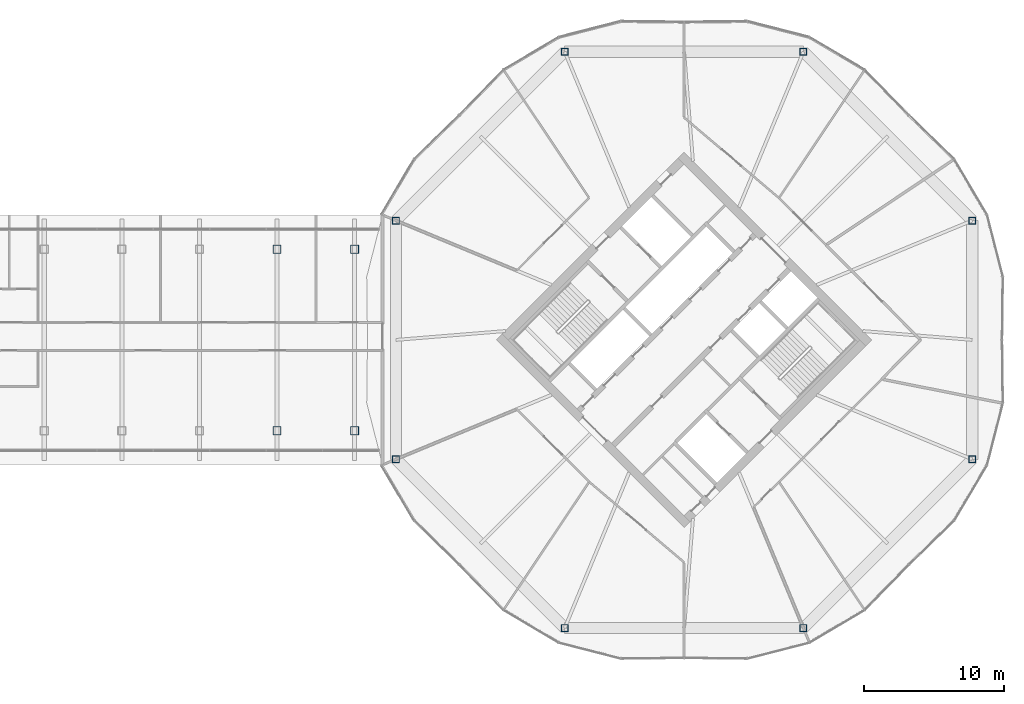
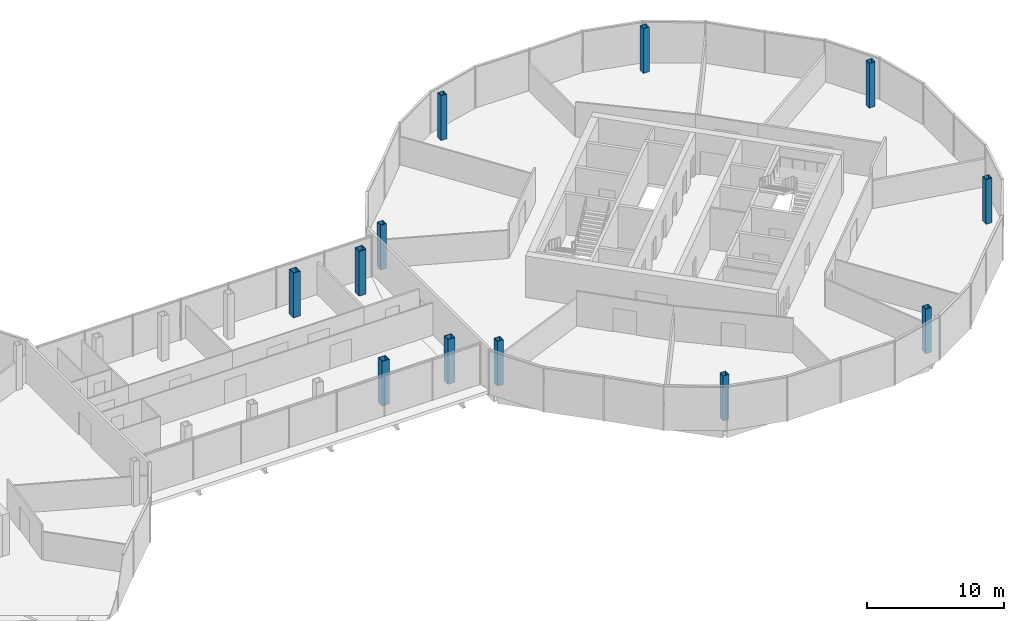
# One storey, part 2 of 25: 12 columns.
"""IFC4 building model written with IfcOpenShell, lengths in metres."""

import ifcopenshell
import ifcopenshell.guid

model = None  # the IFC model being written
_history = None  # IfcOwnerHistory: only IFC2X3 demands one
_inside = {}  # id of a spatial element -> (the spatial element, [elements in it])
_under = {}  # id of a project, library or spatial element -> (it, [spatial elements below it])
_declared = {}  # id of a project -> (the project, [libraries it declares])
_typed = {}  # id of a type object -> (the type object, [elements of that type])
_made_of = {}  # id of a material, layer set ... -> (it, [elements and type objects made of it])


def new_model(schema):
    """Start an empty IFC model of exactly this schema.

    Asked for "IFC4X3", IfcOpenShell would pick the latest addendum, in which some entities
    have other attributes; the version numbers below select the first issue.
    IFC2X3 requires an IfcOwnerHistory on every rooted entity: one is made here for all.
    """
    global model, _history
    if schema == "IFC4X3":
        model = ifcopenshell.file(schema_version=(4, 3, 0, 0))
    else:
        model = ifcopenshell.file(schema=schema)
    _inside.clear()
    _under.clear()
    _declared.clear()
    _typed.clear()
    _made_of.clear()
    _history = None
    if model.schema == "IFC2X3":
        org = make("IfcOrganization", Name="unknown")
        user = make(
            "IfcPersonAndOrganization",
            ThePerson=make("IfcPerson", FamilyName="unknown"),
            TheOrganization=org,
        )
        app = make(
            "IfcApplication",
            ApplicationDeveloper=org,
            Version="unknown",
            ApplicationFullName="unknown",
            ApplicationIdentifier="unknown",
        )
        _history = make(
            "IfcOwnerHistory",
            OwningUser=user,
            OwningApplication=app,
            ChangeAction="ADDED",
            CreationDate=0,
        )
    return model


def make(cls, **values):
    """One entity of the class cls with the attributes given. An attribute that is None is left unset."""
    return model.create_entity(
        cls, **{name: value for name, value in values.items() if value is not None}
    )


def rooted(cls, **values):
    """An entity with a GlobalId (a new one), such as an element, a storey or a relation."""
    return make(cls, GlobalId=ifcopenshell.guid.new(), OwnerHistory=_history, **values)


def si_unit(unit_type, name, prefix=None):
    """IfcSIUnit, for example si_unit("LENGTHUNIT", "METRE", prefix="MILLI")."""
    return make("IfcSIUnit", UnitType=unit_type, Prefix=prefix, Name=name)


def assignment(units):
    """IfcUnitAssignment: the units of a project."""
    return None if units is None else make("IfcUnitAssignment", Units=units)


def point(xyz):
    """IfcCartesianPoint."""
    return None if xyz is None else make("IfcCartesianPoint", Coordinates=xyz)


def direction(xyz):
    """IfcDirection."""
    return None if xyz is None else make("IfcDirection", DirectionRatios=xyz)


def frame(location, z_axis=None, x_axis=None):
    """IfcAxis2Placement3D, a coordinate frame: its origin and axes. An axis left out is left unset."""
    return make(
        "IfcAxis2Placement3D",
        Location=point(location),
        Axis=direction(z_axis),
        RefDirection=direction(x_axis),
    )


def frame_2d(location, x_axis=None):
    """IfcAxis2Placement2D, a coordinate frame in the plane: its origin and x axis."""
    return make(
        "IfcAxis2Placement2D", Location=point(location), RefDirection=direction(x_axis)
    )


def origin():
    """The frame at (0, 0, 0) with its axes left unset."""
    return frame((0.0, 0.0, 0.0))


def origin_2d():
    """The frame at (0, 0) in the plane with its x axis left unset."""
    return frame_2d((0.0, 0.0))


def place(relative_to, where):
    """IfcLocalPlacement: puts the frame where relative to a parent placement (None: the world)."""
    return make(
        "IfcLocalPlacement", PlacementRelTo=relative_to, RelativePlacement=where
    )


def context(
    kind, dimensions, precision=None, world=None, true_north=None, identifier=None
):
    """IfcGeometricRepresentationContext, for example the 3D "Model" context."""
    return make(
        "IfcGeometricRepresentationContext",
        ContextIdentifier=identifier,
        ContextType=kind,
        CoordinateSpaceDimension=dimensions,
        Precision=precision,
        WorldCoordinateSystem=world,
        TrueNorth=true_north,
    )


def subcontext(parent, identifier, kind, view, scale=None):
    """IfcGeometricRepresentationSubContext, for example "Body" below "Model"."""
    return make(
        "IfcGeometricRepresentationSubContext",
        ContextIdentifier=identifier,
        ContextType=kind,
        ParentContext=parent,
        TargetScale=scale,
        TargetView=view,
    )


def project(units=None, contexts=None):
    """IfcProject with its units and contexts."""
    return rooted(
        "IfcProject",
        Name="project",
        RepresentationContexts=contexts,
        UnitsInContext=assignment(units),
    )


def spatial(cls, under=None, at=None, **own):
    """A site, building, storey or space (cls), placed at a placement, below another one or the project."""
    s = rooted(cls, ObjectPlacement=at, **own)
    if under is not None:
        _under.setdefault(under.id(), (under, []))[1].append(s)
    return s


def profile(cls, at=None, kind="AREA", **sizes):
    """A parametric profile (cls). Its sizes go by their IFC names, for example OverallWidth=200.0."""
    return make(cls, ProfileType=kind, Position=at, **sizes)


def hollow_rectangle(**sizes):
    """IfcRectangleHollowProfileDef."""
    return profile("IfcRectangleHollowProfileDef", **sizes)


def extrude(swept, where, along, depth):
    """IfcExtrudedAreaSolid: the profile swept, set in the frame where, extruded along a direction by depth."""
    return make(
        "IfcExtrudedAreaSolid",
        SweptArea=swept,
        Position=where,
        ExtrudedDirection=direction(along),
        Depth=depth,
    )


def shape(context_of_items, identifier, shape_type, items):
    """IfcShapeRepresentation: the items that make up one representation, for example the "Body"."""
    return make(
        "IfcShapeRepresentation",
        ContextOfItems=context_of_items,
        RepresentationIdentifier=identifier,
        RepresentationType=shape_type,
        Items=items,
    )


def material(Name=None, Category=None):
    """IfcMaterial."""
    return make("IfcMaterial", Name=Name, Category=Category)


def material_profile(
    of_material, cross_section, Name=None, Category=None, Priority=None
):
    """IfcMaterialProfile: a cross section and its material."""
    return make(
        "IfcMaterialProfile",
        Name=Name,
        Material=of_material,
        Profile=cross_section,
        Priority=Priority,
        Category=Category,
    )


def profile_set(profiles, Name=None, composite=None):
    """IfcMaterialProfileSet."""
    return make(
        "IfcMaterialProfileSet",
        Name=Name,
        MaterialProfiles=profiles,
        CompositeProfile=composite,
    )


def made_of(thing, what):
    """Note that an element or type object is made of a material, layer set ...; save() writes the relation."""
    if what is not None:
        _made_of.setdefault(what.id(), (what, []))[1].append(thing)
    return thing


def type_object(cls, material=None, **own):
    """A type object (cls), such as IfcWallType, which elements share."""
    return made_of(rooted(cls, **own), material)


def element(
    cls,
    number,
    at=None,
    inside=None,
    cuts=None,
    type_object=None,
    material=None,
    context=None,
    identifier="Body",
    shape_type=None,
    held_by="IfcProductDefinitionShape",
    body=None,
    shapes=None,
    **own,
):
    """One element of the class cls, such as IfcWall. Its Tag is "e" and its number.

    at: its placement. inside: the storey or other place that contains it. cuts: it is an
    opening in that element (IfcRelVoidsElement). A single representation is given by context,
    identifier, shape_type and body (its items); several are given by shapes. held_by: the class
    of the entity that holds the representations. save() writes the other relations.
    """
    e = rooted(cls, Tag="e%d" % number, ObjectPlacement=at, **own)
    if body is not None:
        shapes = [shape(context, identifier, shape_type, body)]
    if shapes is not None:
        e.Representation = make(held_by, Representations=shapes)
    if inside is not None:
        _inside.setdefault(inside.id(), (inside, []))[1].append(e)
    if cuts is not None:
        rooted(
            "IfcRelVoidsElement", RelatingBuildingElement=cuts, RelatedOpeningElement=e
        )
    if type_object is not None:
        _typed.setdefault(type_object.id(), (type_object, []))[1].append(e)
    return made_of(e, material)


def aggregate(whole, parts):
    """IfcRelAggregates: a whole, such as a stair, and the parts it consists of."""
    return rooted("IfcRelAggregates", RelatingObject=whole, RelatedObjects=parts)


def save(model, path):
    """Write the relations noted so far, then the file.

    IfcRelAggregates (storeys below a building ...), IfcRelContainedInSpatialStructure (elements
    in a storey), IfcRelDefinesByType, IfcRelAssociatesMaterial and IfcRelDeclares: one each for
    every whole, place, type object, material and project.
    """
    for whole, parts in _under.values():
        aggregate(whole, parts)
    for where, things in _inside.values():
        rooted(
            "IfcRelContainedInSpatialStructure",
            RelatedElements=things,
            RelatingStructure=where,
        )
    for kind, things in _typed.values():
        rooted("IfcRelDefinesByType", RelatedObjects=things, RelatingType=kind)
    for what, things in _made_of.values():
        rooted("IfcRelAssociatesMaterial", RelatedObjects=things, RelatingMaterial=what)
    for by, libraries in _declared.values():
        rooted("IfcRelDeclares", RelatingContext=by, RelatedDefinitions=libraries)
    model.write(path)


model = new_model("IFC4")

# Units and contexts
model_context = context("Model", 3, precision=1e-05, world=origin(), true_north=direction((0.0, 1.0)))
body_context = subcontext(model_context, "Body", "Model", "MODEL_VIEW")
ifc_project = project(units=[si_unit("LENGTHUNIT", "METRE"), si_unit("AREAUNIT", "SQUARE_METRE"), si_unit("VOLUMEUNIT", "CUBIC_METRE"), si_unit("PLANEANGLEUNIT", "RADIAN"), si_unit("MASSUNIT", "GRAM", prefix="KILO")], contexts=[model_context])

# Site, building, storey
site_placement = place(None, origin())
site = spatial("IfcSite", under=ifc_project, at=site_placement, CompositionType="ELEMENT")
building_placement = place(site_placement, origin())
building = spatial("IfcBuilding", under=site, at=building_placement, Name="Ogive Gate Towers", CompositionType="ELEMENT")
storey_placement = place(building_placement, frame((0.0, 0.0, 140.800048828125)))
storey = spatial("IfcBuildingStorey", under=building, at=storey_placement, Name="L33", CompositionType="ELEMENT", Elevation=140.800048828125)

# Columns
ifc_material = material(Name="Steel SM460", Category="steel")
ifc_material_profile_1 = material_profile(ifc_material, hollow_rectangle(XDim=0.60009765625, YDim=0.60009765625, WallThickness=0.0400390625, at=origin_2d()), Name="BX 600x600x40")
ifc_profile_set_1 = profile_set([ifc_material_profile_1], Name="Steel SM460")
column_type_1 = type_object("IfcColumnType", Name="Block column BX 600x600x40", PredefinedType="COLUMN", material=ifc_profile_set_1)
for number, where, z_axis, x_axis, name in (
    (1, (6.8388671875, -6.5, 0.0), (0.0, 0.0, 1.0), (1.0, 0.0, 0.0), "BR/L33/SCL007"),
    (2, (6.8388671875, 6.5, 0.0), (0.0, 0.0, 1.0), (1.0, 0.0, 0.0), "BR/L33/SCL008"),
    (3, (12.3955078125, -6.5, 0.0), (0.0, 0.0, 1.0), (1.0, 0.0, 0.0), "BR/L33/SCL009"),
    (4, (12.3955078125, 6.5, 0.0), (0.0, 0.0, 1.0), (1.0, 0.0, 0.0), "BR/L33/SCL010"),
):
    element("IfcColumn", number, at=place(storey_placement, frame(where, z_axis=z_axis, x_axis=x_axis)), inside=storey, type_object=column_type_1, Name=name, PredefinedType="COLUMN", context=body_context, shape_type="SweptSolid", body=[
        extrude(hollow_rectangle(XDim=0.60009765625, YDim=0.60009765625, WallThickness=0.0400390625, at=origin_2d()), origin(), (0.0, 0.0, 1.0), 4.0),
    ])
ifc_material_profile_2 = material_profile(ifc_material, hollow_rectangle(XDim=0.5, YDim=0.5, WallThickness=0.030029296875, at=origin_2d()), Name="BX 500x500x30")
ifc_profile_set_2 = profile_set([ifc_material_profile_2], Name="Steel SM460")
column_type_2 = type_object("IfcColumnType", Name="Perimeter post BX 500x500x30", PredefinedType="COLUMN", material=ifc_profile_set_2)
for number, where, z_axis, x_axis, name in (
    (5, (56.639404296875, 8.549072265625, 0.0), (0.0, 0.0, 1.0), (1.0, 0.0, 0.0), "T2/L33/SCL001"),
    (6, (44.549072265625, 20.639404296875, 0.0), (0.0, 0.0, 1.0), (1.0, 0.0, 0.0), "T2/L33/SCL002"),
    (7, (27.450927734375, 20.639404296875, 0.0), (0.0, 0.0, 1.0), (1.0, 0.0, 0.0), "T2/L33/SCL003"),
    (8, (15.360595703125, 8.549072265625, 0.0), (0.0, 0.0, 1.0), (1.0, 0.0, 0.0), "T2/L33/SCL004"),
    (9, (15.360595703125, -8.549072265625, 0.0), (0.0, 0.0, 1.0), (1.0, 0.0, 0.0), "T2/L33/SCL005"),
    (10, (27.450927734375, -20.639404296875, 0.0), (0.0, 0.0, 1.0), (1.0, 0.0, 0.0), "T2/L33/SCL006"),
    (11, (44.549072265625, -20.639404296875, 0.0), (0.0, 0.0, 1.0), (1.0, 0.0, 0.0), "T2/L33/SCL007"),
    (12, (56.639404296875, -8.549072265625, 0.0), (0.0, 0.0, 1.0), (1.0, 0.0, 0.0), "T2/L33/SCL008"),
):
    element("IfcColumn", number, at=place(storey_placement, frame(where, z_axis=z_axis, x_axis=x_axis)), inside=storey, type_object=column_type_2, Name=name, PredefinedType="COLUMN", context=body_context, shape_type="SweptSolid", body=[
        extrude(hollow_rectangle(XDim=0.5, YDim=0.5, WallThickness=0.030029296875, at=origin_2d()), origin(), (0.0, 0.0, 1.0), 4.0),
    ])

save(model, "model.ifc")
